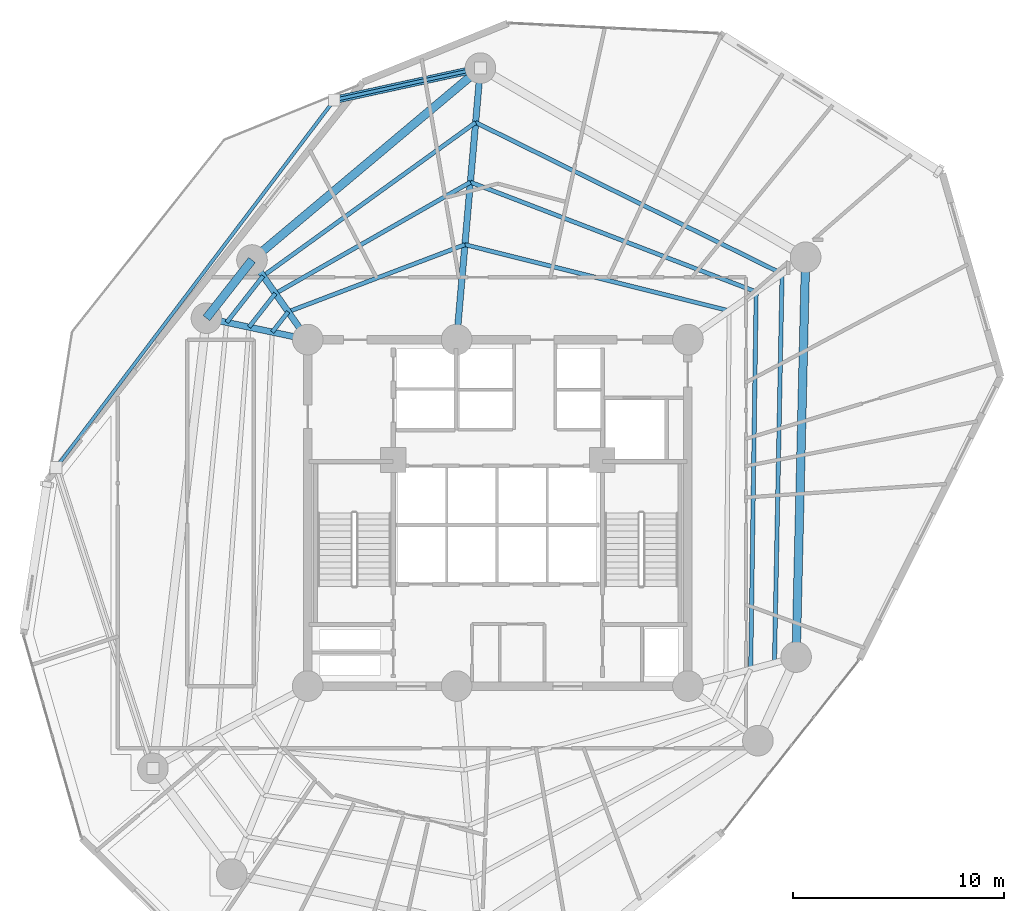
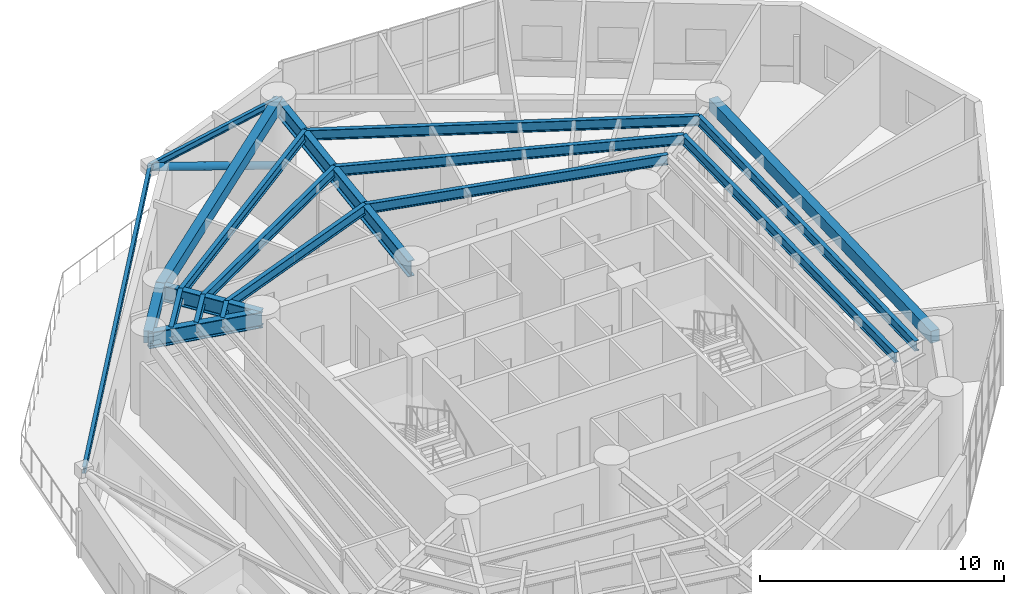
# One storey, part 4 of 14: 19 beams, 1 member.
"""IFC4 building model written with IfcOpenShell, lengths in metres."""

from ifc_helpers import new_model, si_unit, direction, frame, origin, origin_with_axes, origin_2d, place, context, subcontext, project, spatial, rectangle, hollow_circle, i_section, extrude, source, transform, mapped, material, material_profile, profile_set, type_object, element, save


model = new_model("IFC4")

# Units and contexts
model_context = context("Model", 3, precision=1e-05, world=origin(), true_north=direction((0.0, 1.0)))
body_context = subcontext(model_context, "Body", "Model", "MODEL_VIEW")
ifc_project = project(units=[si_unit("LENGTHUNIT", "METRE"), si_unit("AREAUNIT", "SQUARE_METRE"), si_unit("VOLUMEUNIT", "CUBIC_METRE"), si_unit("PLANEANGLEUNIT", "RADIAN"), si_unit("MASSUNIT", "GRAM", prefix="KILO")], contexts=[model_context])

# Site, building, storey
site_placement = place(None, origin())
site = spatial("IfcSite", under=ifc_project, at=site_placement, CompositionType="ELEMENT")
building_placement = place(site_placement, origin())
building = spatial("IfcBuilding", under=site, at=building_placement, Name="Karkom Vertical University and Central Library", CompositionType="ELEMENT")
storey_placement = place(building_placement, frame((0.0, 0.0, 92.199951171875)))
storey = spatial("IfcBuildingStorey", under=building, at=storey_placement, Name="L24", CompositionType="ELEMENT", Elevation=92.199951171875)

# Beams
ifc_material_1 = material(Name="Steel S355", Category="steel")
ifc_material_profile_1 = material_profile(ifc_material_1, i_section(OverallWidth=0.300048828125, OverallDepth=0.800048828125, WebThickness=0.017578125, FlangeThickness=0.032958984375, FilletRadius=0.030029296875, at=origin_2d()), Name="HE 800 B")
ifc_profile_set_1 = profile_set([ifc_material_profile_1], Name="Steel S355")
beam_type_1 = type_object("IfcBeamType", Name="STR-BM-SB-HE800", PredefinedType="USERDEFINED", material=ifc_profile_set_1)
shared_shape_1 = source(origin_with_axes(), body_context, "Body", "SweptSolid", [
    extrude(i_section(OverallWidth=0.300048828125, OverallDepth=0.800048828125, WebThickness=0.017578125, FlangeThickness=0.032958984375, FilletRadius=0.030029296875, at=origin_2d()), origin(), (0.0, 0.0, 1.0), 12.900146484375),
])
beam_1_placement = place(storey_placement, frame((26.550048828125, 34.699951171875, 3.375), z_axis=(0.087132673751, 0.996196716098, 0.0), x_axis=(-0.996196716098, 0.087132673751, 0.0)))
element("IfcBeam", 1, at=beam_1_placement, inside=storey, type_object=beam_type_1, Name="Level 24 Radial Frame Girder 03", ObjectType="GIRDER", PredefinedType="USERDEFINED", context=body_context, shape_type="MappedRepresentation", body=[
    mapped(shared_shape_1, transform((0.0, 0.0, 0.0), scale=1.0)),
])
shared_shape_2 = source(origin_with_axes(), body_context, "Body", "SweptSolid", [
    extrude(i_section(OverallWidth=0.300048828125, OverallDepth=0.800048828125, WebThickness=0.017578125, FlangeThickness=0.032958984375, FilletRadius=0.030029296875, at=origin_2d()), origin(), (0.0, 0.0, 1.0), 4.599609375),
])
beam_2_placement = place(storey_placement, frame((19.5, 34.699951171875, 3.375), z_axis=(-0.573505090764, 0.819201996377, 0.0), x_axis=(-0.819201996377, -0.573505090764, 0.0)))
element("IfcBeam", 2, at=beam_2_placement, inside=storey, type_object=beam_type_1, Name="Level 24 Radial Frame Girder 04", ObjectType="GIRDER", PredefinedType="USERDEFINED", context=body_context, shape_type="MappedRepresentation", body=[
    mapped(shared_shape_2, transform((0.0, 0.0, 0.0), scale=1.0)),
])
shared_shape_3 = source(origin_with_axes(), body_context, "Body", "SweptSolid", [
    extrude(i_section(OverallWidth=0.300048828125, OverallDepth=0.800048828125, WebThickness=0.017578125, FlangeThickness=0.032958984375, FilletRadius=0.030029296875, at=origin_2d()), origin(), (0.0, 0.0, 1.0), 4.900146484375),
])
beam_3_placement = place(storey_placement, frame((19.5, 34.699951171875, 3.375), z_axis=(-0.978136559131, 0.207963630695, 0.0), x_axis=(-0.207963630695, -0.978136559131, 0.0)))
element("IfcBeam", 3, at=beam_3_placement, inside=storey, type_object=beam_type_1, Name="Level 24 Radial Frame Girder 05", ObjectType="GIRDER", PredefinedType="USERDEFINED", context=body_context, shape_type="MappedRepresentation", body=[
    mapped(shared_shape_3, transform((0.0, 0.0, 0.0), scale=1.0)),
])
ifc_material_2 = material(Name="Precast concrete C45/55", Category="concrete")
ifc_material_profile_2 = material_profile(ifc_material_2, rectangle(XDim=0.39990234375, YDim=0.60009765625, at=origin_2d()), Name="SPB-400x600")
ifc_profile_set_2 = profile_set([ifc_material_profile_2], Name="Precast concrete C45/55")
beam_type_2 = type_object("IfcBeamType", Name="STR-BM-SP-1", PredefinedType="SPANDREL", material=ifc_profile_set_2)
shared_shape_4 = source(origin_with_axes(), body_context, "Body", "SweptSolid", [
    extrude(rectangle(XDim=0.39990234375, YDim=0.60009765625, at=origin_2d()), origin(), (0.0, 0.0, 1.0), 18.933349609375),
])
beam_4_placement = place(storey_placement, frame((42.618896484375, 19.672119140625, 3.47509765625), z_axis=(0.02382947333, 0.999716037783, 0.0), x_axis=(-0.999716037783, 0.02382947333, 0.0)))
element("IfcBeam", 4, at=beam_4_placement, inside=storey, type_object=beam_type_2, Name="Level 24 Perimeter Spandrel Beam 01", PredefinedType="SPANDREL", context=body_context, shape_type="MappedRepresentation", body=[
    mapped(shared_shape_4, transform((0.0, 0.0, 0.0), scale=1.0)),
])
shared_shape_5 = source(origin_with_axes(), body_context, "Body", "SweptSolid", [
    extrude(rectangle(XDim=0.39990234375, YDim=0.60009765625, at=origin_2d()), origin(), (0.0, 0.0, 1.0), 14.120849609375),
])
beam_5_placement = place(storey_placement, frame((27.674072265625, 47.551025390625, 3.47509765625), z_axis=(-0.765672847866, -0.643230199883, 0.0), x_axis=(0.643230199883, -0.765672847866, 0.0)))
element("IfcBeam", 5, at=beam_5_placement, inside=storey, type_object=beam_type_2, Name="Level 24 Perimeter Spandrel Beam 03", PredefinedType="SPANDREL", context=body_context, shape_type="MappedRepresentation", body=[
    mapped(shared_shape_5, transform((0.0, 0.0, 0.0), scale=1.0)),
])
shared_shape_6 = source(origin_with_axes(), body_context, "Body", "SweptSolid", [
    extrude(rectangle(XDim=0.39990234375, YDim=0.60009765625, at=origin_2d()), origin(), (0.0, 0.0, 1.0), 3.492919921875),
])
beam_6_placement = place(storey_placement, frame((16.862060546875, 38.468017578125, 3.47509765625), z_axis=(-0.616950700538, -0.787001799938, 0.0), x_axis=(0.787001799938, -0.616950700538, 0.0)))
element("IfcBeam", 6, at=beam_6_placement, inside=storey, type_object=beam_type_2, Name="Level 24 Perimeter Spandrel Beam 04", PredefinedType="SPANDREL", context=body_context, shape_type="MappedRepresentation", body=[
    mapped(shared_shape_6, transform((0.0, 0.0, 0.0), scale=1.0)),
])
ifc_material_profile_3 = material_profile(ifc_material_1, i_section(OverallWidth=0.199951171875, OverallDepth=0.5, WebThickness=0.01025390625, FlangeThickness=0.01611328125, FilletRadius=0.02099609375, at=origin_2d()), Name="IPE 500")
ifc_profile_set_3 = profile_set([ifc_material_profile_3], Name="Steel S355")
beam_type_3 = type_object("IfcBeamType", Name="STR-BM-SB-IPE500", PredefinedType="BEAM", material=ifc_profile_set_3)
shared_shape_7 = source(origin_with_axes(), body_context, "Body", "SweptSolid", [
    extrude(i_section(OverallWidth=0.199951171875, OverallDepth=0.5, WebThickness=0.01025390625, FlangeThickness=0.01611328125, FilletRadius=0.02099609375, at=origin_2d()), origin(), (0.0, 0.0, 1.0), 12.892578125),
])
beam_7_placement = place(storey_placement, frame((39.449462890625, 36.06494140625, 3.525146484375), z_axis=(-0.970023194321, 0.243012350468, 0.0), x_axis=(-0.243012350468, -0.970023194321, 0.0)))
element("IfcBeam", 7, at=beam_7_placement, inside=storey, type_object=beam_type_3, Name="Level 24 Secondary Composite Floor Beam 1.02", PredefinedType="BEAM", context=body_context, shape_type="MappedRepresentation", body=[
    mapped(shared_shape_7, transform((0.0, 0.0, 0.0), scale=1.0)),
])
shared_shape_8 = source(origin_with_axes(), body_context, "Body", "SweptSolid", [
    extrude(i_section(OverallWidth=0.199951171875, OverallDepth=0.5, WebThickness=0.01025390625, FlangeThickness=0.01611328125, FilletRadius=0.02099609375, at=origin_2d()), origin(), (0.0, 0.0, 1.0), 8.950439453125),
])
beam_8_placement = place(storey_placement, frame((26.943359375, 39.197998046875, 3.525146484375), z_axis=(-0.93478901494, -0.355203459368, 0.0), x_axis=(0.355203459368, -0.93478901494, 0.0)))
element("IfcBeam", 8, at=beam_8_placement, inside=storey, type_object=beam_type_3, Name="Level 24 Secondary Composite Floor Beam 1.03", PredefinedType="BEAM", context=body_context, shape_type="MappedRepresentation", body=[
    mapped(shared_shape_8, transform((0.0, 0.0, 0.0), scale=1.0)),
])
shared_shape_9 = source(origin_with_axes(), body_context, "Body", "SweptSolid", [
    extrude(i_section(OverallWidth=0.199951171875, OverallDepth=0.5, WebThickness=0.01025390625, FlangeThickness=0.01611328125, FilletRadius=0.02099609375, at=origin_2d()), origin(), (0.0, 0.0, 1.0), 1.222412109375),
])
beam_9_placement = place(storey_placement, frame((18.57666015625, 36.018798828125, 3.525146484375), z_axis=(-0.616895037184, -0.787045432677, 0.0), x_axis=(0.787045432677, -0.616895037184, 0.0)))
element("IfcBeam", 9, at=beam_9_placement, inside=storey, type_object=beam_type_3, Name="Level 24 Secondary Composite Floor Beam 1.04", PredefinedType="BEAM", context=body_context, shape_type="MappedRepresentation", body=[
    mapped(shared_shape_9, transform((0.0, 0.0, 0.0), scale=1.0)),
])
shared_shape_10 = source(origin_with_axes(), body_context, "Body", "SweptSolid", [
    extrude(i_section(OverallWidth=0.199951171875, OverallDepth=0.5, WebThickness=0.01025390625, FlangeThickness=0.01611328125, FilletRadius=0.02099609375, at=origin_2d()), origin(), (0.0, 0.0, 1.0), 17.8681640625),
])
beam_10_placement = place(storey_placement, frame((40.468994140625, 19.095703125, 3.525146484375), z_axis=(0.014647239676, 0.999892723431, 0.0), x_axis=(-0.999892723431, 0.014647239676, 0.0)))
element("IfcBeam", 10, at=beam_10_placement, inside=storey, type_object=beam_type_3, Name="Level 24 Secondary Composite Floor Beam 2.01", PredefinedType="BEAM", context=body_context, shape_type="MappedRepresentation", body=[
    mapped(shared_shape_10, transform((0.0, 0.0, 0.0), scale=1.0)),
])
shared_shape_11 = source(origin_with_axes(), body_context, "Body", "SweptSolid", [
    extrude(i_section(OverallWidth=0.199951171875, OverallDepth=0.5, WebThickness=0.01025390625, FlangeThickness=0.01611328125, FilletRadius=0.02099609375, at=origin_2d()), origin(), (0.0, 0.0, 1.0), 14.49072265625),
])
beam_11_placement = place(storey_placement, frame((40.730712890625, 36.9619140625, 3.525146484375), z_axis=(-0.93361673171, 0.35827335691, 0.0), x_axis=(-0.35827335691, -0.93361673171, 0.0)))
element("IfcBeam", 11, at=beam_11_placement, inside=storey, type_object=beam_type_3, Name="Level 24 Secondary Composite Floor Beam 2.02", PredefinedType="BEAM", context=body_context, shape_type="MappedRepresentation", body=[
    mapped(shared_shape_11, transform((0.0, 0.0, 0.0), scale=1.0)),
])
shared_shape_12 = source(origin_with_axes(), body_context, "Body", "SweptSolid", [
    extrude(i_section(OverallWidth=0.199951171875, OverallDepth=0.5, WebThickness=0.01025390625, FlangeThickness=0.01611328125, FilletRadius=0.02099609375, at=origin_2d()), origin(), (0.0, 0.0, 1.0), 10.629150390625),
])
beam_12_placement = place(storey_placement, frame((27.201904296875, 42.153564453125, 3.525146484375), z_axis=(-0.868539813491, -0.495619402748, 0.0), x_axis=(0.495619402748, -0.868539813491, 0.0)))
element("IfcBeam", 12, at=beam_12_placement, inside=storey, type_object=beam_type_3, Name="Level 24 Secondary Composite Floor Beam 2.03", PredefinedType="BEAM", context=body_context, shape_type="MappedRepresentation", body=[
    mapped(shared_shape_12, transform((0.0, 0.0, 0.0), scale=1.0)),
])
shared_shape_13 = source(origin_with_axes(), body_context, "Body", "SweptSolid", [
    extrude(i_section(OverallWidth=0.199951171875, OverallDepth=0.5, WebThickness=0.01025390625, FlangeThickness=0.01611328125, FilletRadius=0.02099609375, at=origin_2d()), origin(), (0.0, 0.0, 1.0), 2.02587890625),
])
beam_13_placement = place(storey_placement, frame((17.969970703125, 36.885498046875, 3.525146484375), z_axis=(-0.616889733535, -0.787049589708, 0.0), x_axis=(0.787049589708, -0.616889733535, 0.0)))
element("IfcBeam", 13, at=beam_13_placement, inside=storey, type_object=beam_type_3, Name="Level 24 Secondary Composite Floor Beam 2.04", PredefinedType="BEAM", context=body_context, shape_type="MappedRepresentation", body=[
    mapped(shared_shape_13, transform((0.0, 0.0, 0.0), scale=1.0)),
])
shared_shape_14 = source(origin_with_axes(), body_context, "Body", "SweptSolid", [
    extrude(i_section(OverallWidth=0.199951171875, OverallDepth=0.5, WebThickness=0.01025390625, FlangeThickness=0.01611328125, FilletRadius=0.02099609375, at=origin_2d()), origin(), (0.0, 0.0, 1.0), 18.42578125),
])
beam_14_placement = place(storey_placement, frame((41.59521484375, 19.397705078125, 3.525146484375), z_axis=(0.019583298818, 0.999808228816, 0.0), x_axis=(-0.999808228816, 0.019583298818, 0.0)))
element("IfcBeam", 14, at=beam_14_placement, inside=storey, type_object=beam_type_3, Name="Level 24 Secondary Composite Floor Beam 3.01", PredefinedType="BEAM", context=body_context, shape_type="MappedRepresentation", body=[
    mapped(shared_shape_14, transform((0.0, 0.0, 0.0), scale=1.0)),
])
shared_shape_15 = source(origin_with_axes(), body_context, "Body", "SweptSolid", [
    extrude(i_section(OverallWidth=0.199951171875, OverallDepth=0.5, WebThickness=0.01025390625, FlangeThickness=0.01611328125, FilletRadius=0.02099609375, at=origin_2d()), origin(), (0.0, 0.0, 1.0), 16.177978515625),
])
beam_15_placement = place(storey_placement, frame((41.9560546875, 37.820068359375, 3.525146484375), z_axis=(-0.896709262653, 0.442620038263, 0.0), x_axis=(-0.442620038263, -0.896709262653, 0.0)))
element("IfcBeam", 15, at=beam_15_placement, inside=storey, type_object=beam_type_3, Name="Level 24 Secondary Composite Floor Beam 3.02", PredefinedType="BEAM", context=body_context, shape_type="MappedRepresentation", body=[
    mapped(shared_shape_15, transform((0.0, 0.0, 0.0), scale=1.0)),
])
shared_shape_16 = source(origin_with_axes(), body_context, "Body", "SweptSolid", [
    extrude(i_section(OverallWidth=0.199951171875, OverallDepth=0.5, WebThickness=0.01025390625, FlangeThickness=0.01611328125, FilletRadius=0.02099609375, at=origin_2d()), origin(), (0.0, 0.0, 1.0), 12.409423828125),
])
beam_16_placement = place(storey_placement, frame((27.44921875, 44.980712890625, 3.525146484375), z_axis=(-0.810636686292, -0.585549453793, 0.0), x_axis=(0.585549453793, -0.810636686292, 0.0)))
element("IfcBeam", 16, at=beam_16_placement, inside=storey, type_object=beam_type_3, Name="Level 24 Secondary Composite Floor Beam 3.03", PredefinedType="BEAM", context=body_context, shape_type="MappedRepresentation", body=[
    mapped(shared_shape_16, transform((0.0, 0.0, 0.0), scale=1.0)),
])
shared_shape_17 = source(origin_with_axes(), body_context, "Body", "SweptSolid", [
    extrude(i_section(OverallWidth=0.199951171875, OverallDepth=0.5, WebThickness=0.01025390625, FlangeThickness=0.01611328125, FilletRadius=0.02099609375, at=origin_2d()), origin(), (0.0, 0.0, 1.0), 2.79443359375),
])
beam_17_placement = place(storey_placement, frame((17.3896484375, 37.71435546875, 3.525146484375), z_axis=(-0.616972344898, -0.786984831894, 0.0), x_axis=(0.786984831894, -0.616972344898, 0.0)))
element("IfcBeam", 17, at=beam_17_placement, inside=storey, type_object=beam_type_3, Name="Level 24 Secondary Composite Floor Beam 3.04", PredefinedType="BEAM", context=body_context, shape_type="MappedRepresentation", body=[
    mapped(shared_shape_17, transform((0.0, 0.0, 0.0), scale=1.0)),
])
ifc_material_profile_4 = material_profile(ifc_material_1, i_section(OverallWidth=0.159912109375, OverallDepth=0.330078125, WebThickness=0.007568359375, FlangeThickness=0.011474609375, FilletRadius=0.01806640625, at=origin_2d()), Name="IPE 330")
ifc_profile_set_4 = profile_set([ifc_material_profile_4], Name="Steel S355")
beam_type_4 = type_object("IfcBeamType", Name="STR-BM-SB-IPE330", PredefinedType="BEAM", material=ifc_profile_set_4)
shared_shape_18 = source(origin_with_axes(), body_context, "Body", "SweptSolid", [
    extrude(i_section(OverallWidth=0.159912109375, OverallDepth=0.330078125, WebThickness=0.007568359375, FlangeThickness=0.011474609375, FilletRadius=0.01806640625, at=origin_2d()), origin(), (0.0, 0.0, 1.0), 7.077880859375),
])
beam_18_placement = place(storey_placement, frame((27.674072265625, 47.551025390625, 3.610107421875), z_axis=(-0.977090674033, -0.212823435548, 0.0), x_axis=(0.212823435548, -0.977090674033, 0.0)))
element("IfcBeam", 18, at=beam_18_placement, inside=storey, type_object=beam_type_4, Name="Level 24 Sky Garden Outrigger Support Beam 1", PredefinedType="BEAM", context=body_context, shape_type="MappedRepresentation", body=[
    mapped(shared_shape_18, transform((0.0, 0.0, 0.0), scale=1.0)),
])

# Member
ifc_material_profile_5 = material_profile(ifc_material_1, hollow_circle(Radius=0.177734375, WallThickness=0.01611328125, at=origin_2d()), Name="CHS 355.6x16")
ifc_profile_set_5 = profile_set([ifc_material_profile_5], Name="Steel S355")
member_type = type_object("IfcMemberType", Name="STR-MEM-BR-3", PredefinedType="BRACE", material=ifc_profile_set_5)
shared_shape_19 = source(origin_with_axes(), body_context, "Body", "SweptSolid", [
    extrude(hollow_circle(Radius=0.177734375, WallThickness=0.01611328125, at=origin_2d()), origin(), (0.0, 0.0, 1.0), 7.79248046875),
])
member_placement = place(storey_placement, frame((27.674072265625, 47.551025390625, 0.35009765625), z_axis=(-0.887479137163, -0.193304842599, 0.418346768756), x_axis=(0.212823435548, -0.977090674033, 0.0)))
element("IfcMember", 19, at=member_placement, inside=storey, type_object=member_type, Name="Level 24 Sky Garden Knee Strut Brace 1", PredefinedType="BRACE", context=body_context, shape_type="MappedRepresentation", body=[
    mapped(shared_shape_19, transform((0.0, 0.0, 0.0), scale=1.0)),
])

# Beam
shared_shape_20 = source(origin_with_axes(), body_context, "Body", "SweptSolid", [
    extrude(i_section(OverallWidth=0.159912109375, OverallDepth=0.330078125, WebThickness=0.007568359375, FlangeThickness=0.011474609375, FilletRadius=0.01806640625, at=origin_2d()), origin(), (0.0, 0.0, 1.0), 21.82470703125),
])
beam_19_placement = place(storey_placement, frame((20.75830078125, 46.044677734375, 3.610107421875), z_axis=(-0.603482655658, -0.797376124749, 0.0), x_axis=(0.797376124749, -0.603482655658, 0.0)))
element("IfcBeam", 20, at=beam_19_placement, inside=storey, type_object=beam_type_4, Name="Level 24 Sky Garden Perimeter Edge Beam", PredefinedType="BEAM", context=body_context, shape_type="MappedRepresentation", body=[
    mapped(shared_shape_20, transform((0.0, 0.0, 0.0), scale=1.0)),
])

save(model, "model.ifc")
